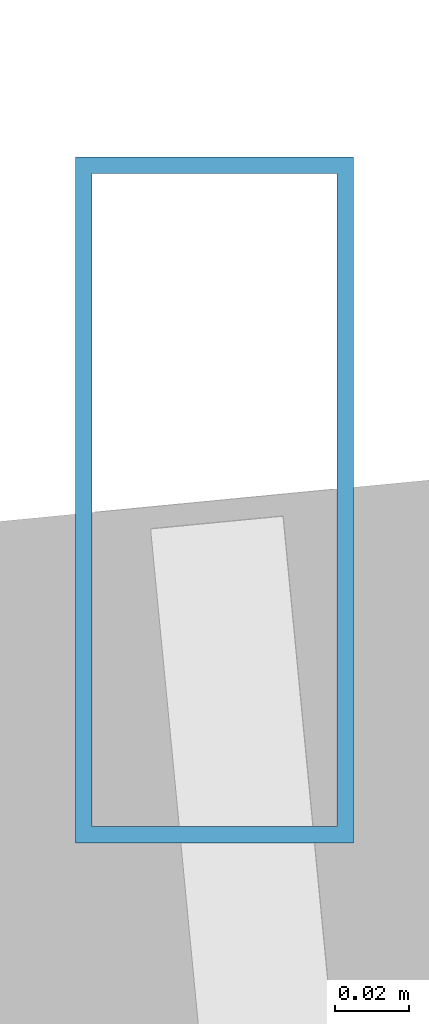
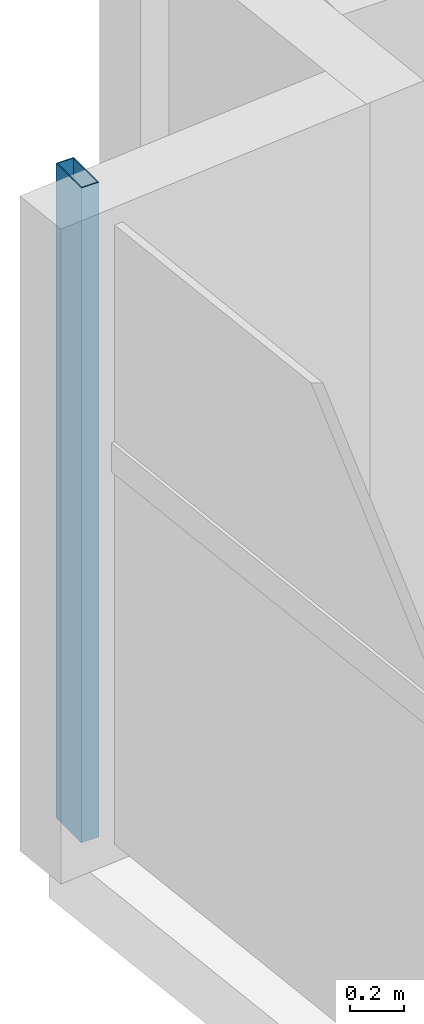
# One storey, part 8 of 25: 1 member, 1 element without a shape of its own.
"""IFC4 building model written with IfcOpenShell, lengths in metres."""

from ifc_helpers import new_model, si_unit, direction, frame, origin, origin_2d, place, context, subcontext, project, spatial, hollow_rectangle, extrude, source, transform, mapped, material, material_profile, profile_set, type_object, type_shapes, element, aggregate, save


model = new_model("IFC4")

# Units and contexts
model_context = context("Model", 3, precision=1e-05, world=origin(), true_north=direction((0.0, 1.0)))
body_context = subcontext(model_context, "Body", "Model", "MODEL_VIEW")
ifc_project = project(units=[si_unit("LENGTHUNIT", "METRE"), si_unit("AREAUNIT", "SQUARE_METRE"), si_unit("VOLUMEUNIT", "CUBIC_METRE"), si_unit("PLANEANGLEUNIT", "RADIAN"), si_unit("MASSUNIT", "GRAM", prefix="KILO")], contexts=[model_context])

# Site, building, storey
site_placement = place(None, origin())
site = spatial("IfcSite", under=ifc_project, at=site_placement, CompositionType="ELEMENT")
building_placement = place(site_placement, origin())
building = spatial("IfcBuilding", under=site, at=building_placement, Name="Astriad Promenade Condominiums", CompositionType="ELEMENT")
storey_placement = place(building_placement, frame((0.0, 0.0, 106.60009765625)))
storey = spatial("IfcBuildingStorey", under=building, at=storey_placement, Name="L30", CompositionType="ELEMENT", Elevation=106.60009765625)

# Curtain wall, member
ifc_material_1 = material(Name="Anodised aluminium Black Dark Glass Unitised", Category="aluminium")
curtain_wall_type = type_object("IfcCurtainWallType", Name="CW-B2-DARK", PredefinedType="USERDEFINED", material=ifc_material_1)
curtain_wall_placement = place(storey_placement, origin())
curtain_wall = element("IfcCurtainWall", 1, at=curtain_wall_placement, inside=storey, type_object=curtain_wall_type, Name="CW-L30-W", ObjectType="UNITISED_CURTAIN_WALL", PredefinedType="USERDEFINED")
ifc_material_2 = material(Name="Anodised aluminium 6063-T6 Black", Category="aluminium")
ifc_material_profile = material_profile(ifc_material_2, hollow_rectangle(XDim=0.074951171875, YDim=0.18505859375, WallThickness=0.00439453125, at=origin_2d()), Name="ALU-MUL-75X185")
ifc_profile_set = profile_set([ifc_material_profile], Name="Anodised aluminium 6063-T6 Black")
member_type = type_object("IfcMemberType", Name="MUL-ALU-MUL-75X185", PredefinedType="MULLION", material=ifc_profile_set)
shared_shape = source(origin(), body_context, "Body", "SweptSolid", [
    extrude(hollow_rectangle(XDim=0.074951171875, YDim=0.18505859375, WallThickness=0.00439453125, at=origin_2d()), origin(), (0.0, 0.0, 1.0), 2.93994140625),
])
type_shapes(member_type, [shared_shape])
member_placement = place(storey_placement, frame((8.94775390625, 20.921875, 0.0), z_axis=(0.0, 0.0, 1.0), x_axis=(1.0, 0.0, 0.0)))
member = element("IfcMember", 2, at=member_placement, type_object=member_type, Name="CW-L30-W-MUL-03", PredefinedType="MULLION", context=body_context, shape_type="MappedRepresentation", body=[
    mapped(shared_shape, transform((0.0, 0.0, 0.0), scale=1.0)),
])
aggregate(curtain_wall, [member])

save(model, "model.ifc")
